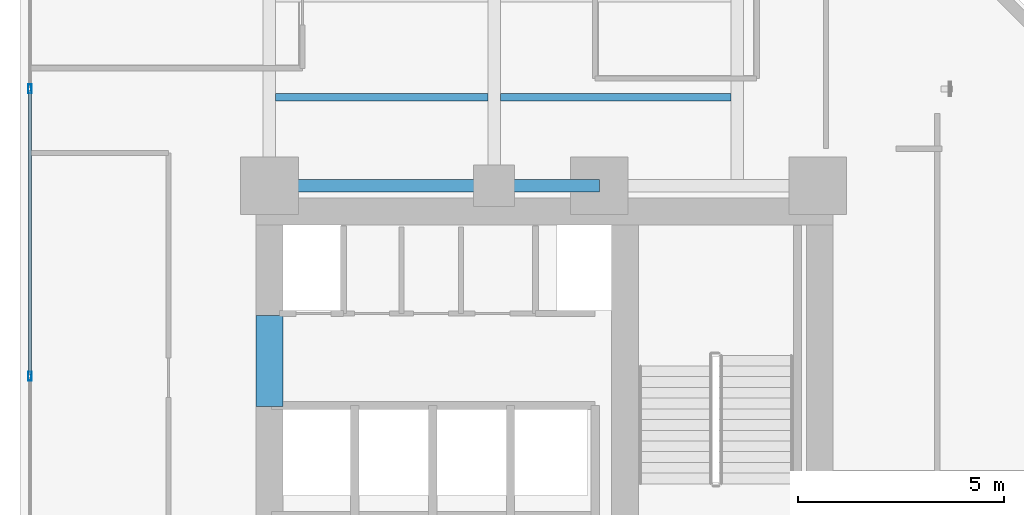
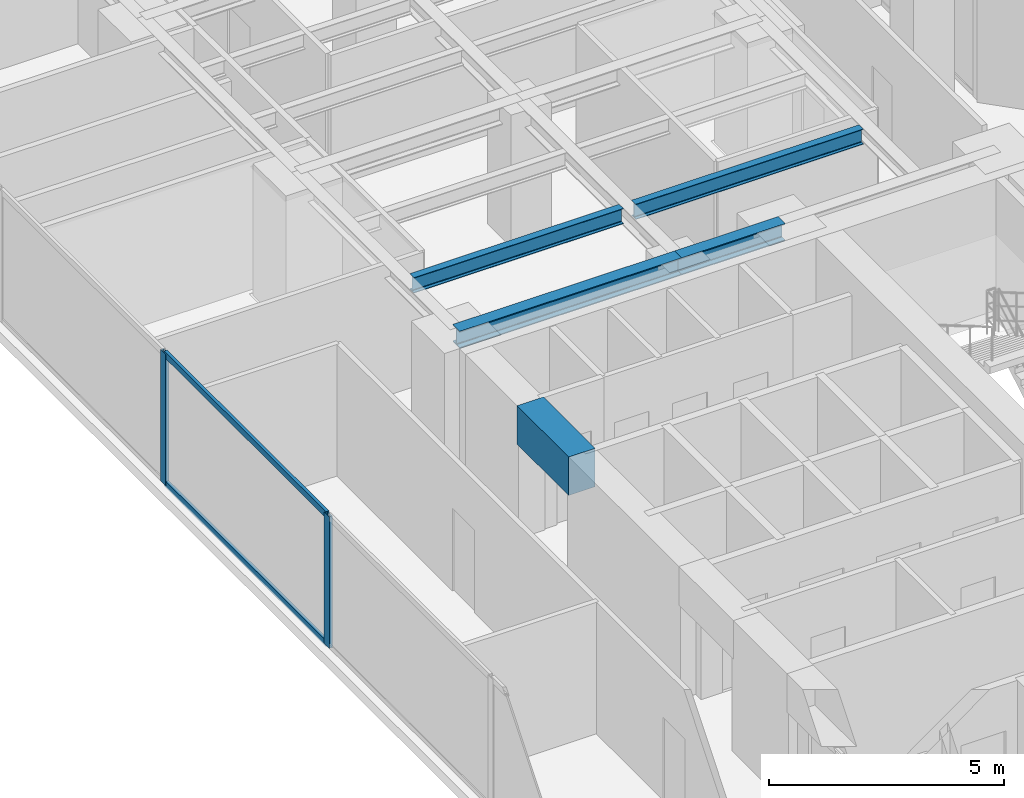
# One storey, part 6 of 25: 5 beams, 4 members, 1 element without a shape of its own.
"""IFC4 building model written with IfcOpenShell, lengths in metres."""

from ifc_helpers import new_model, si_unit, direction, frame, origin, origin_with_axes, origin_2d, place, context, subcontext, project, spatial, rectangle, hollow_rectangle, i_section, extrude, source, transform, mapped, material, layer, layer_set, material_profile, profile_set, type_object, element, aggregate, save


model = new_model("IFC4")

# Units and contexts
model_context = context("Model", 3, precision=1e-05, world=origin(), true_north=direction((0.0, 1.0)))
body_context = subcontext(model_context, "Body", "Model", "MODEL_VIEW")
ifc_project = project(units=[si_unit("LENGTHUNIT", "METRE"), si_unit("AREAUNIT", "SQUARE_METRE"), si_unit("VOLUMEUNIT", "CUBIC_METRE"), si_unit("PLANEANGLEUNIT", "RADIAN"), si_unit("MASSUNIT", "GRAM", prefix="KILO")], contexts=[model_context])

# Site, building, storey
site_placement = place(None, origin())
site = spatial("IfcSite", under=ifc_project, at=site_placement, CompositionType="ELEMENT")
building_placement = place(site_placement, origin())
building = spatial("IfcBuilding", under=site, at=building_placement, Name="Kolvaren Waterfront Exchange", CompositionType="ELEMENT")
storey_placement = place(building_placement, frame((0.0, 0.0, 137.300048828125)))
storey = spatial("IfcBuildingStorey", under=building, at=storey_placement, Name="L35", CompositionType="ELEMENT", Elevation=137.300048828125)

# Beams
ifc_material_1 = material(Name="Steel S355", Category="steel")
ifc_material_profile_1 = material_profile(ifc_material_1, i_section(OverallWidth=0.300048828125, OverallDepth=0.449951171875, WebThickness=0.013916015625, FlangeThickness=0.02587890625, FilletRadius=0.027099609375, at=origin_2d()), Name="HEB450")
ifc_profile_set_1 = profile_set([ifc_material_profile_1], Name="Steel S355")
beam_type_1 = type_object("IfcBeamType", Name="STR-BM-HEB450", PredefinedType="BEAM", material=ifc_profile_set_1)
beam_1_placement = place(storey_placement, frame((7.449951171875, 24.449951171875, 3.195068359375), z_axis=(1.0, 0.0, 0.0), x_axis=(0.0, 1.0, 0.0)))
element("IfcBeam", 1, at=beam_1_placement, inside=storey, type_object=beam_type_1, Name="L35 north-arm girder 1A", PredefinedType="BEAM", context=body_context, shape_type="SweptSolid", body=[
    extrude(i_section(OverallWidth=0.300048828125, OverallDepth=0.449951171875, WebThickness=0.013916015625, FlangeThickness=0.02587890625, FilletRadius=0.027099609375, at=origin_2d()), origin(), (0.0, 0.0, 1.0), 5.449951171875),
])
beam_2_placement = place(storey_placement, frame((12.89990234375, 24.449951171875, 3.195068359375), z_axis=(1.0, 0.0, 0.0), x_axis=(0.0, 1.0, 0.0)))
element("IfcBeam", 2, at=beam_2_placement, inside=storey, type_object=beam_type_1, Name="L35 north-arm girder 1B", PredefinedType="BEAM", context=body_context, shape_type="SweptSolid", body=[
    extrude(i_section(OverallWidth=0.300048828125, OverallDepth=0.449951171875, WebThickness=0.013916015625, FlangeThickness=0.02587890625, FilletRadius=0.027099609375, at=origin_2d()), origin(), (0.0, 0.0, 1.0), 2.550048828125),
])
ifc_material_profile_2 = material_profile(ifc_material_1, i_section(OverallWidth=0.179931640625, OverallDepth=0.39990234375, WebThickness=0.008544921875, FlangeThickness=0.013427734375, FilletRadius=0.02099609375, at=origin_2d()), Name="IPE400")
ifc_profile_set_2 = profile_set([ifc_material_profile_2], Name="Steel S355")
beam_type_2 = type_object("IfcBeamType", Name="STR-BM-IPE400", PredefinedType="JOIST", material=ifc_profile_set_2)
beam_3_placement = place(storey_placement, frame((7.60205078125, 26.60009765625, 3.219970703125), z_axis=(1.0, 0.0, 0.0), x_axis=(0.0, 1.0, 0.0)))
element("IfcBeam", 3, at=beam_3_placement, inside=storey, type_object=beam_type_2, Name="L35 north-arm composite joist 1A", PredefinedType="JOIST", context=body_context, shape_type="SweptSolid", body=[
    extrude(i_section(OverallWidth=0.179931640625, OverallDepth=0.39990234375, WebThickness=0.008544921875, FlangeThickness=0.013427734375, FilletRadius=0.02099609375, at=origin_2d()), origin(), (0.0, 0.0, 1.0), 5.14599609375),
])
beam_4_placement = place(storey_placement, frame((13.052001953125, 26.60009765625, 3.219970703125), z_axis=(1.0, 0.0, 0.0), x_axis=(0.0, 1.0, 0.0)))
element("IfcBeam", 4, at=beam_4_placement, inside=storey, type_object=beam_type_2, Name="L35 north-arm composite joist 1B", PredefinedType="JOIST", context=body_context, shape_type="SweptSolid", body=[
    extrude(i_section(OverallWidth=0.179931640625, OverallDepth=0.39990234375, WebThickness=0.008544921875, FlangeThickness=0.013427734375, FilletRadius=0.02099609375, at=origin_2d()), origin(), (0.0, 0.0, 1.0), 5.595947265625),
])
ifc_material_2 = material(Name="Concrete C60/75", Category="concrete")
ifc_material_profile_3 = material_profile(ifc_material_2, rectangle(XDim=0.64990234375, YDim=1.0, at=origin_2d()), Name="RC-CB-1000x650")
ifc_profile_set_3 = profile_set([ifc_material_profile_3], Name="Concrete C60/75")
beam_type_3 = type_object("IfcBeamType", Name="STR-CB-1000", PredefinedType="SPANDREL", material=ifc_profile_set_3)
beam_5_placement = place(storey_placement, frame((7.449951171875, 19.10009765625, 2.919921875), z_axis=(0.0, 1.0, 0.0), x_axis=(-1.0, 0.0, 0.0)))
element("IfcBeam", 5, at=beam_5_placement, inside=storey, type_object=beam_type_3, Name="L35 core coupling beam 5", PredefinedType="SPANDREL", context=body_context, shape_type="SweptSolid", body=[
    extrude(rectangle(XDim=0.64990234375, YDim=1.0, at=origin_2d()), origin(), (0.0, 0.0, 1.0), 2.199951171875),
])

# Curtain wall, members
ifc_material_3 = material(Name="Anodised aluminium 6063-T6", Category="aluminium")
ifc_layer = layer(ifc_material_3, 0.219970703125, Name="Anodised aluminium 6063-T6")
ifc_layer_set = layer_set([ifc_layer], Name="Anodised aluminium 6063-T6")
curtain_wall_type = type_object("IfcCurtainWallType", Name="ARC-CW-SYS2", PredefinedType="USERDEFINED", material=ifc_layer_set)
curtain_wall_placement = place(storey_placement, origin())
curtain_wall = element("IfcCurtainWall", 6, at=curtain_wall_placement, inside=storey, type_object=curtain_wall_type, Name="L35 stick curtain wall CW2 (CW-L35-W)", ObjectType="STICK CURTAIN WALL", PredefinedType="USERDEFINED")
ifc_material_profile_4 = material_profile(ifc_material_3, hollow_rectangle(XDim=0.080078125, YDim=0.219970703125, WallThickness=0.0048828125, at=origin_2d()), Name="ALU-MUL-220x80x5")
ifc_profile_set_4 = profile_set([ifc_material_profile_4], Name="Anodised aluminium 6063-T6")
member_type_1 = type_object("IfcMemberType", Name="ARC-CWM-220", PredefinedType="MULLION", material=ifc_profile_set_4)
shared_shape_1 = source(origin_with_axes(), body_context, "Body", "SweptSolid", [
    extrude(hollow_rectangle(XDim=0.080078125, YDim=0.219970703125, WallThickness=0.0048828125, at=origin_2d()), origin(), (0.0, 0.0, 1.0), 3.419921875),
])
member_1_placement = place(storey_placement, frame((1.639892578125, 19.833251953125, 0.0), z_axis=(0.0, 0.0, 1.0), x_axis=(-1.0, 0.0, 0.0)))
member_1 = element("IfcMember", 7, at=member_1_placement, type_object=member_type_1, Name="CW2 mullion 3", PredefinedType="MULLION", context=body_context, shape_type="MappedRepresentation", body=[
    mapped(shared_shape_1, transform((0.0, 0.0, 0.0), x_axis=(1.0, 0.0, 0.0), y_axis=(0.0, 1.0, 0.0), z_axis=(0.0, 0.0, 1.0), scale=1.0)),
])
member_2_placement = place(storey_placement, frame((1.639892578125, 26.800048828125, 0.0), z_axis=(0.0, 0.0, 1.0), x_axis=(-1.0, 0.0, 0.0)))
member_2 = element("IfcMember", 8, at=member_2_placement, type_object=member_type_1, Name="CW2 mullion 4", PredefinedType="MULLION", context=body_context, shape_type="MappedRepresentation", body=[
    mapped(shared_shape_1, transform((0.0, 0.0, 0.0), x_axis=(1.0, 0.0, 0.0), y_axis=(0.0, 1.0, 0.0), z_axis=(0.0, 0.0, 1.0), scale=1.0)),
])
ifc_material_profile_5 = material_profile(ifc_material_3, hollow_rectangle(XDim=0.074951171875, YDim=0.159912109375, WallThickness=0.00439453125, at=origin_2d()), Name="ALU-TRN-160x75x4.5")
ifc_profile_set_5 = profile_set([ifc_material_profile_5], Name="Anodised aluminium 6063-T6")
member_type_2 = type_object("IfcMemberType", Name="ARC-CWT-160", PredefinedType="USERDEFINED", material=ifc_profile_set_5)
shared_shape_2 = source(origin_with_axes(), body_context, "Body", "SweptSolid", [
    extrude(hollow_rectangle(XDim=0.074951171875, YDim=0.159912109375, WallThickness=0.00439453125, at=origin_2d()), origin(), (0.0, 0.0, 1.0), 6.88671875),
])
member_3_placement = place(storey_placement, frame((1.639892578125, 19.873291015625, 0.037353515625), z_axis=(0.0, 1.0, 0.0), x_axis=(-1.0, 0.0, 0.0)))
member_3 = element("IfcMember", 9, at=member_3_placement, type_object=member_type_2, Name="CW2 transom 3.1", ObjectType="TRANSOM", PredefinedType="USERDEFINED", context=body_context, shape_type="MappedRepresentation", body=[
    mapped(shared_shape_2, transform((0.0, 0.0, 0.0), x_axis=(1.0, 0.0, 0.0), y_axis=(0.0, 1.0, 0.0), z_axis=(0.0, 0.0, 1.0), scale=1.0)),
])
member_4_placement = place(storey_placement, frame((1.639892578125, 19.873291015625, 3.382568359375), z_axis=(0.0, 1.0, 0.0), x_axis=(-1.0, 0.0, 0.0)))
member_4 = element("IfcMember", 10, at=member_4_placement, type_object=member_type_2, Name="CW2 transom 3.2", ObjectType="TRANSOM", PredefinedType="USERDEFINED", context=body_context, shape_type="MappedRepresentation", body=[
    mapped(shared_shape_2, transform((0.0, 0.0, 0.0), x_axis=(1.0, 0.0, 0.0), y_axis=(0.0, 1.0, 0.0), z_axis=(0.0, 0.0, 1.0), scale=1.0)),
])
aggregate(curtain_wall, [member_1, member_2, member_3, member_4])

save(model, "model.ifc")
